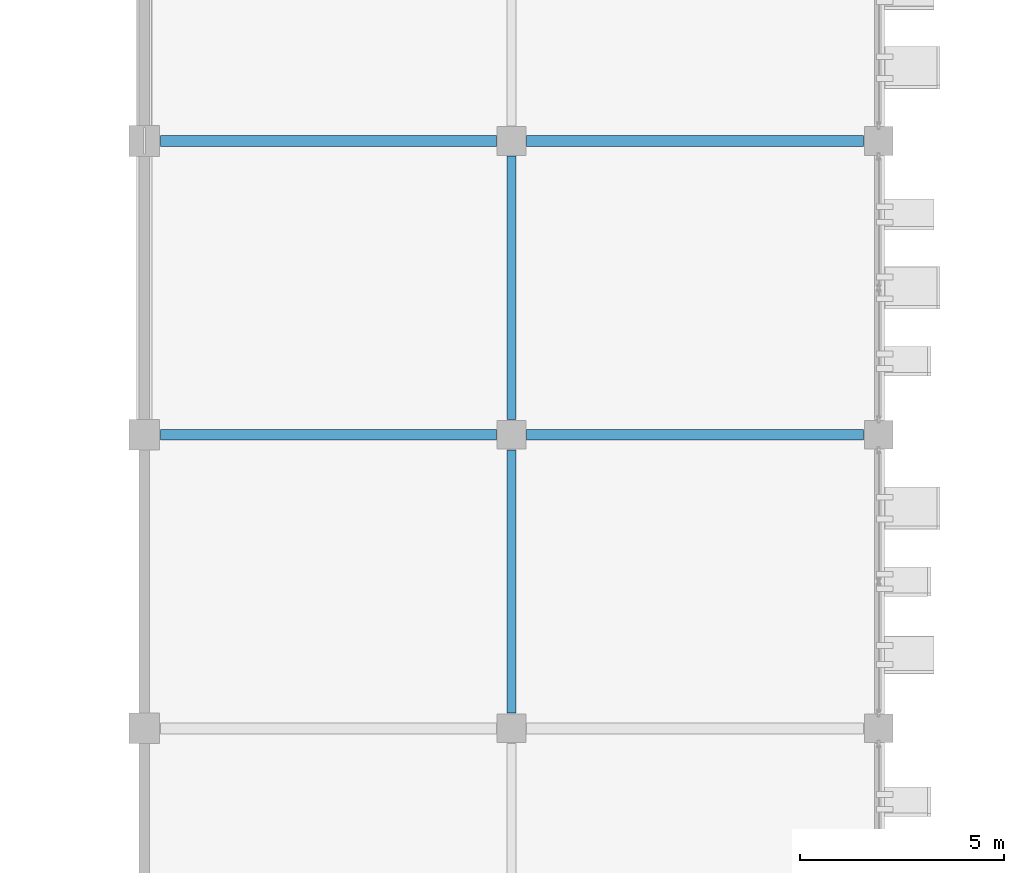
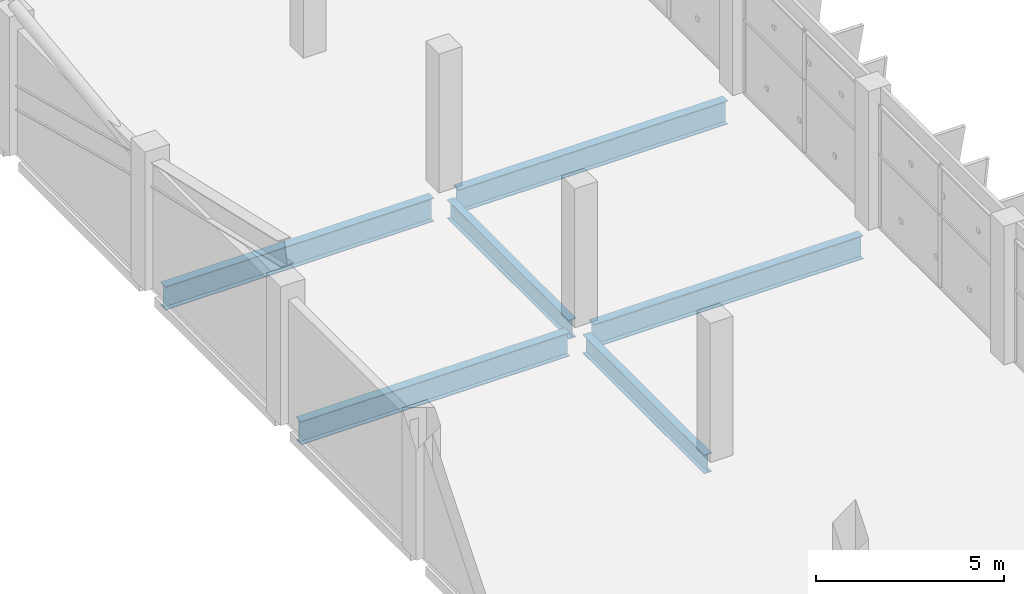
# One storey, part 53 of 151: 6 beams.
"""IFC4 building model written with IfcOpenShell, lengths in metres."""

from ifc_helpers import new_model, si_unit, direction, frame, origin, origin_2d, place, context, subcontext, project, spatial, i_section, extrude, material, material_profile, profile_set, type_object, element, save


model = new_model("IFC4")

# Units and contexts
model_context = context("Model", 3, precision=1e-05, world=origin(), true_north=direction((0.0, 1.0)))
body_context = subcontext(model_context, "Body", "Model", "MODEL_VIEW")
ifc_project = project(units=[si_unit("LENGTHUNIT", "METRE"), si_unit("AREAUNIT", "SQUARE_METRE"), si_unit("VOLUMEUNIT", "CUBIC_METRE"), si_unit("PLANEANGLEUNIT", "RADIAN"), si_unit("MASSUNIT", "GRAM", prefix="KILO")], contexts=[model_context])

# Site, building, storey
site_placement = place(None, origin())
site = spatial("IfcSite", under=ifc_project, at=site_placement, CompositionType="ELEMENT")
building_placement = place(site_placement, origin())
building = spatial("IfcBuilding", under=site, at=building_placement, Name="Celestram Park Convention Centre", CompositionType="ELEMENT")
storey_placement = place(building_placement, frame((0.0, 0.0, 10.800048828125)))
storey = spatial("IfcBuildingStorey", under=building, at=storey_placement, Name="L02", CompositionType="ELEMENT", Elevation=10.800048828125)

# Beams
ifc_material = material(Name="Steel ASTM A992 Grade 50", Category="steel")
ifc_material_profile_1 = material_profile(ifc_material, i_section(OverallWidth=0.22900390625, OverallDepth=0.612060546875, WebThickness=0.011962890625, FlangeThickness=0.01953125, at=origin_2d()), Name="W24X84")
ifc_profile_set_1 = profile_set([ifc_material_profile_1], Name="Steel ASTM A992 Grade 50")
beam_type_1 = type_object("IfcBeamType", Name="STR-BM-W24X84", PredefinedType="BEAM", material=ifc_profile_set_1)
for number, where, z_axis, x_axis, name in (
    (1, (135.0, 79.572998046875, -0.5859375), (0.0, 1.0, 0.0), (-1.0, 0.0, 0.0), "Primary Y-girder BG-L02-0211"),
    (2, (135.0, 86.77294921875, -0.5859375), (0.0, 1.0, 0.0), (-1.0, 0.0, 0.0), "Primary Y-girder BG-L02-0213"),
):
    element("IfcBeam", number, at=place(storey_placement, frame(where, z_axis=z_axis, x_axis=x_axis)), inside=storey, type_object=beam_type_1, Name=name, PredefinedType="BEAM", context=body_context, shape_type="SweptSolid", body=[
        extrude(i_section(OverallWidth=0.22900390625, OverallDepth=0.612060546875, WebThickness=0.011962890625, FlangeThickness=0.01953125, at=origin_2d()), origin(), (0.0, 0.0, 1.0), 6.4541015625),
    ])
ifc_material_profile_2 = material_profile(ifc_material, i_section(OverallWidth=0.26708984375, OverallDepth=0.761962890625, WebThickness=0.014404296875, FlangeThickness=0.021484375, at=origin_2d()), Name="W30X116")
ifc_profile_set_2 = profile_set([ifc_material_profile_2], Name="Steel ASTM A992 Grade 50")
beam_type_2 = type_object("IfcBeamType", Name="STR-BM-W30X116", PredefinedType="BEAM", material=ifc_profile_set_2)
for number, where, z_axis, x_axis, name in (
    (3, (126.39794921875, 86.39990234375, -0.6611328125), (1.0, 0.0, 0.0), (0.0, 1.0, 0.0), "Primary X-girder BG-L02-0173"),
    (4, (126.39794921875, 93.60009765625, -0.6611328125), (1.0, 0.0, 0.0), (0.0, 1.0, 0.0), "Primary X-girder BG-L02-0175"),
):
    element("IfcBeam", number, at=place(storey_placement, frame(where, z_axis=z_axis, x_axis=x_axis)), inside=storey, type_object=beam_type_2, Name=name, PredefinedType="BEAM", context=body_context, shape_type="SweptSolid", body=[
        extrude(i_section(OverallWidth=0.26708984375, OverallDepth=0.761962890625, WebThickness=0.014404296875, FlangeThickness=0.021484375, at=origin_2d()), origin(), (0.0, 0.0, 1.0), 8.22900390625),
    ])
for number, where, z_axis, x_axis, name in (
    (5, (135.373046875, 86.39990234375, -0.6611328125), (1.0, 0.0, 0.0), (0.0, 1.0, 0.0), "Primary X-girder BG-L02-0212"),
    (6, (135.373046875, 93.60009765625, -0.6611328125), (1.0, 0.0, 0.0), (0.0, 1.0, 0.0), "Primary X-girder BG-L02-0214"),
):
    element("IfcBeam", number, at=place(storey_placement, frame(where, z_axis=z_axis, x_axis=x_axis)), inside=storey, type_object=beam_type_2, Name=name, PredefinedType="BEAM", context=body_context, shape_type="SweptSolid", body=[
        extrude(i_section(OverallWidth=0.26708984375, OverallDepth=0.761962890625, WebThickness=0.014404296875, FlangeThickness=0.021484375, at=origin_2d()), origin(), (0.0, 0.0, 1.0), 8.25390625),
    ])

save(model, "model.ifc")
